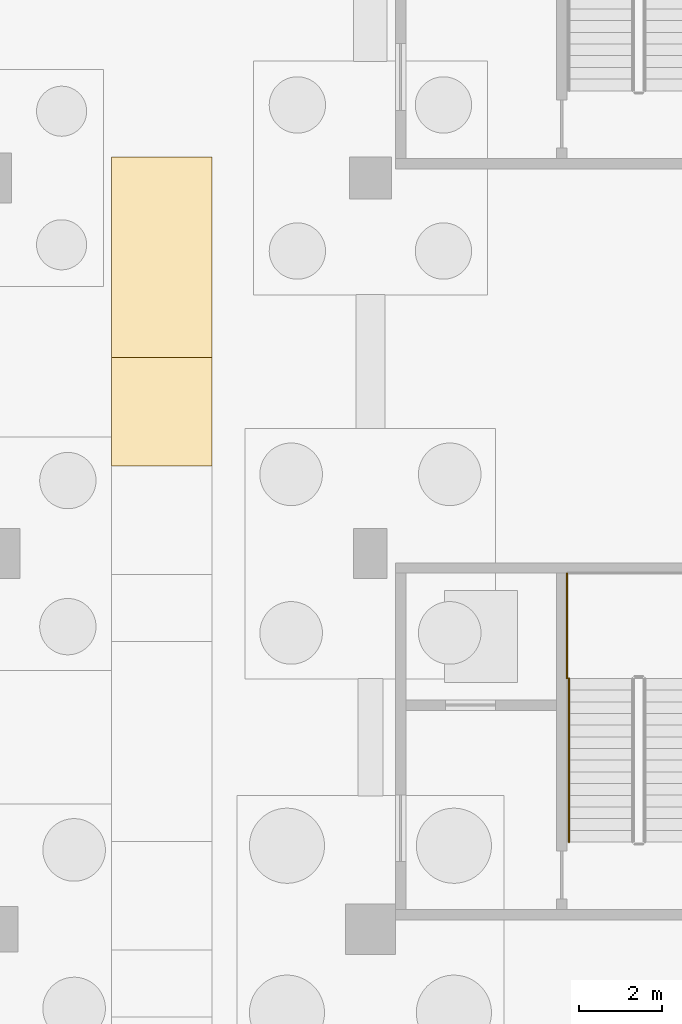
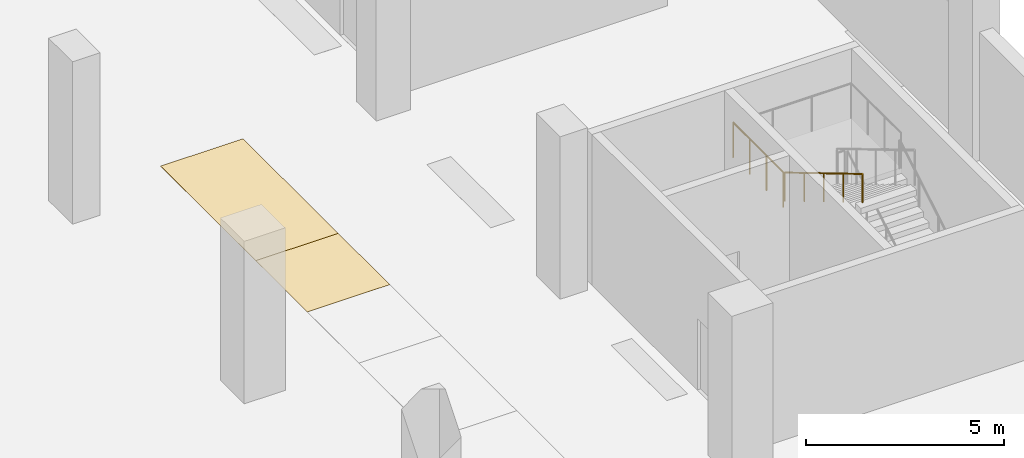
# One storey, part 32 of 37: 2 coverings, 2 railings.
"""IFC4 building model written with IfcOpenShell, lengths in metres."""

from ifc_helpers import new_model, si_unit, direction, frame, origin, origin_2d, place, context, subcontext, project, spatial, polyline, circle, outline, extrude, material, layer, layer_set, type_object, element, save


model = new_model("IFC4")

# Units and contexts
model_context = context("Model", 3, precision=1e-05, world=origin(), true_north=direction((0.0, 1.0)))
body_context = subcontext(model_context, "Body", "Model", "MODEL_VIEW")
ifc_project = project(units=[si_unit("LENGTHUNIT", "METRE"), si_unit("AREAUNIT", "SQUARE_METRE"), si_unit("VOLUMEUNIT", "CUBIC_METRE"), si_unit("PLANEANGLEUNIT", "RADIAN"), si_unit("MASSUNIT", "GRAM", prefix="KILO")], contexts=[model_context])

# Site, building, storey
site_placement = place(None, origin())
site = spatial("IfcSite", under=ifc_project, at=site_placement, CompositionType="ELEMENT")
building_placement = place(site_placement, origin())
building = spatial("IfcBuilding", under=site, at=building_placement, Name="Barlavento Convention Centre", CompositionType="ELEMENT")
storey_placement = place(building_placement, frame((0.0, 0.0, -5.0)))
storey = spatial("IfcBuildingStorey", under=building, at=storey_placement, Name="B1", CompositionType="ELEMENT", Elevation=-5.0)

# Coverings
ifc_material_1 = material(Name="Thermoplastic reflective bay marking")
ifc_layer = layer(ifc_material_1, 0.0048828125)
ifc_layer_set = layer_set([ifc_layer], Name="ARC-COV-PARK-BAY")
covering_type = type_object("IfcCoveringType", Name="ARC-COV-PARK-BAY", PredefinedType="FLOORING", material=ifc_layer_set)
covering_1_placement = place(storey_placement, origin())
element("IfcCovering", 1, at=covering_1_placement, inside=storey, type_object=covering_type, Name="Standard parking bay marking PK-052", PredefinedType="FLOORING", context=body_context, shape_type="SweptSolid", body=[
    extrude(outline(polyline([(173.800048828125, 83.10009765625), (176.199951171875, 83.10009765625), (176.199951171875, 87.89990234375), (173.800048828125, 87.89990234375), (173.800048828125, 83.10009765625)])), origin(), (0.0, 0.0, 1.0), 0.0048828125),
])
covering_2_placement = place(storey_placement, origin())
element("IfcCovering", 2, at=covering_2_placement, inside=storey, type_object=covering_type, Name="Standard parking bay marking PK-054", PredefinedType="FLOORING", context=body_context, shape_type="SweptSolid", body=[
    extrude(outline(polyline([(173.800048828125, 85.699951171875), (176.199951171875, 85.699951171875), (176.199951171875, 90.5), (173.800048828125, 90.5), (173.800048828125, 85.699951171875)])), origin(), (0.0, 0.0, 1.0), 0.0048828125),
])

# Railings
ifc_material_2 = material(Name="Stainless steel and laminated glass balustrade", Category="steel")
railing_type_1 = type_object("IfcRailingType", Name="ARC-RAL-BAL-1100", PredefinedType="BALUSTRADE", material=ifc_material_2)
railing_1_placement = place(storey_placement, frame((184.7099609375, 78.010009765625, 2.5)))
element("IfcRailing", 3, at=railing_1_placement, inside=storey, type_object=railing_type_1, Name="B1 landing guard GR01", PredefinedType="BALUSTRADE", context=body_context, shape_type="SweptSolid", body=[
    extrude(circle(Radius=0.02392578125, at=origin_2d()), frame((0.0, 0.0, 1.076171875), z_axis=(0.0, 1.0, 0.0), x_axis=(-1.0, 0.0, 0.0)), (0.0, 0.0, 1.0), 2.52001953125),
    extrude(circle(Radius=0.02099609375, at=origin_2d()), origin(), (0.0, 0.0, 1.0), 1.052001953125),
    extrude(circle(Radius=0.02099609375, at=origin_2d()), frame((0.0, 0.840087890625, 0.0)), (0.0, 0.0, 1.0), 1.052001953125),
    extrude(circle(Radius=0.02099609375, at=origin_2d()), frame((0.0, 1.679931640625, 0.0)), (0.0, 0.0, 1.0), 1.052001953125),
    extrude(circle(Radius=0.02099609375, at=origin_2d()), frame((0.0, 2.52001953125, 0.0)), (0.0, 0.0, 1.0), 1.052001953125),
])
ifc_material_3 = material(Name="Brushed stainless steel tubular handrail", Category="steel")
railing_type_2 = type_object("IfcRailingType", Name="ARC-RAL-HR-900", PredefinedType="HANDRAIL", material=ifc_material_3)
railing_2_placement = place(storey_placement, frame((184.760009765625, 78.010009765625, 2.666748046875)))
element("IfcRailing", 4, at=railing_2_placement, inside=storey, type_object=railing_type_2, Name="B1 ST07 stair handrail 2", PredefinedType="HANDRAIL", context=body_context, shape_type="SweptSolid", body=[
    extrude(circle(Radius=0.02392578125, at=origin_2d()), frame((0.0, 0.0, 0.8759765625), z_axis=(0.0, -0.859296244711, 0.511478214419), x_axis=(1.0, 0.0, 0.0)), (0.0, 0.0, 1.0), 4.561767578125),
    extrude(circle(Radius=0.02099609375, at=origin_2d()), origin(), (0.0, 0.0, 1.0), 0.851806640625),
    extrude(circle(Radius=0.02099609375, at=origin_2d()), frame((0.0, -0.97998046875, 0.583251953125)), (0.0, 0.0, 1.0), 0.851806640625),
    extrude(circle(Radius=0.02099609375, at=origin_2d()), frame((0.0, -1.9599609375, 1.16650390625)), (0.0, 0.0, 1.0), 0.851806640625),
    extrude(circle(Radius=0.02099609375, at=origin_2d()), frame((0.0, -2.93994140625, 1.75)), (0.0, 0.0, 1.0), 0.851806640625),
    extrude(circle(Radius=0.02099609375, at=origin_2d()), frame((0.0, -3.919921875, 2.333251953125)), (0.0, 0.0, 1.0), 0.851806640625),
])

save(model, "model.ifc")
